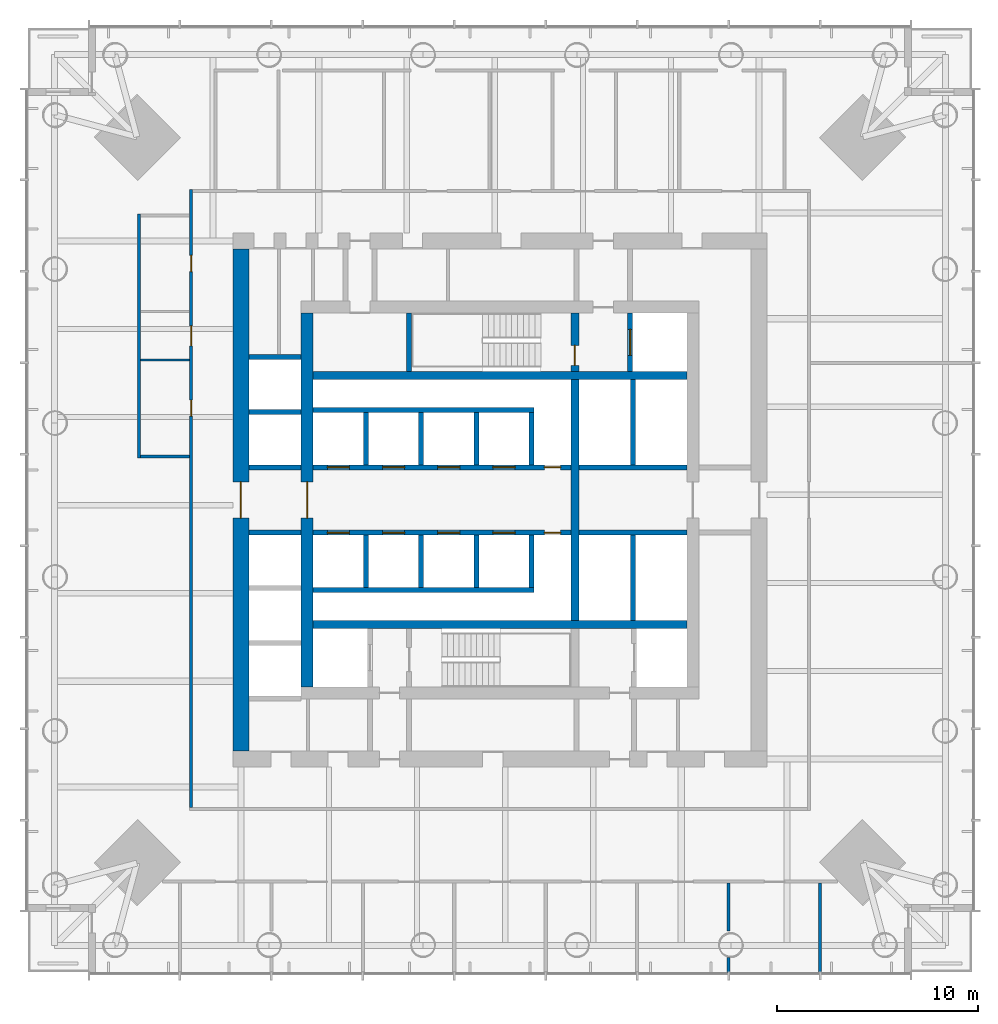
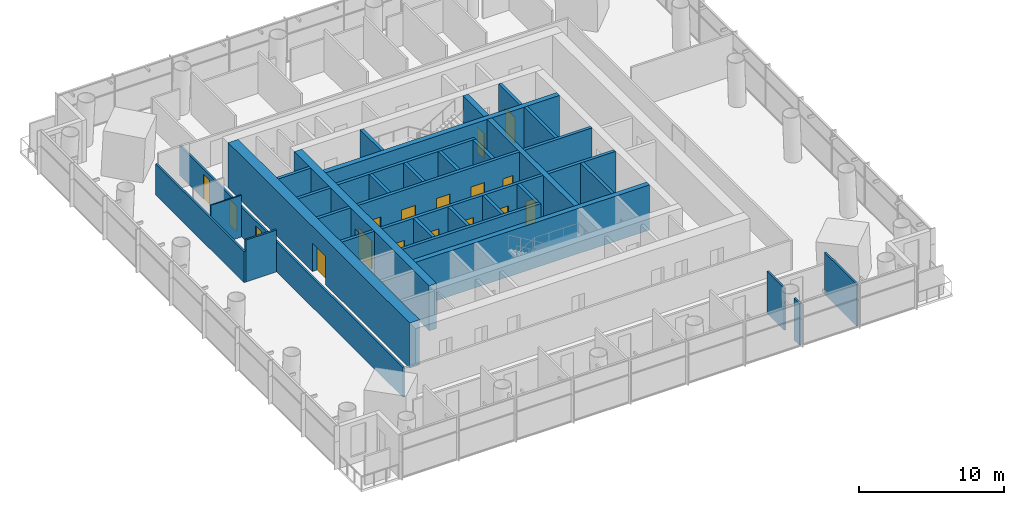
# One storey, part 13 of 24: 35 walls, 17 doors, 17 openings.
"""IFC4 building model written with IfcOpenShell, lengths in metres."""

from ifc_helpers import new_model, si_unit, direction, frame, frame_2d, origin, place, context, subcontext, project, spatial, rectangle, extrude, material, layer, layer_set, type_object, element, fill, save


model = new_model("IFC4")

# Units and contexts
model_context = context("Model", 3, precision=1e-05, world=origin(), true_north=direction((0.0, 1.0)))
body_context = subcontext(model_context, "Body", "Model", "MODEL_VIEW")
ifc_project = project(units=[si_unit("LENGTHUNIT", "METRE"), si_unit("AREAUNIT", "SQUARE_METRE"), si_unit("VOLUMEUNIT", "CUBIC_METRE"), si_unit("PLANEANGLEUNIT", "RADIAN"), si_unit("MASSUNIT", "GRAM", prefix="KILO")], contexts=[model_context])

# Site, building, storey
site_placement = place(None, origin())
site = spatial("IfcSite", under=ifc_project, at=site_placement, CompositionType="ELEMENT")
building_placement = place(site_placement, origin())
building = spatial("IfcBuilding", under=site, at=building_placement, Name="Ostroluk Exchange", CompositionType="ELEMENT")
storey_placement = place(building_placement, frame((0.0, 0.0, 78.0)))
storey = spatial("IfcBuildingStorey", under=building, at=storey_placement, Name="L19", CompositionType="ELEMENT", Elevation=78.0)

# Walls
ifc_material_1 = material(Name="Concrete blockwork", Category="masonry")
ifc_layer_1 = layer(ifc_material_1, 0.10009765625)
ifc_layer_set_1 = layer_set([ifc_layer_1], Name="Blockwork WC wall 100")
wall_type_1 = type_object("IfcWallType", Name="Blockwork WC wall 100", PredefinedType="SOLIDWALL", material=ifc_layer_set_1)
wall_1_placement = place(storey_placement, frame((29.550048828125, 52.97509765625, 0.0), z_axis=(0.0, 0.0, 1.0), x_axis=(-1.0, 0.0, 0.0)))
element("IfcWall", 1, at=wall_1_placement, inside=storey, type_object=wall_type_1, Name="Blockwork WC wall", PredefinedType="SOLIDWALL", context=body_context, shape_type="SweptSolid", body=[
    extrude(rectangle(XDim=2.449951171875, YDim=0.10009765625, at=frame_2d((1.22509765625, 0.0))), origin(), (0.0, 0.0, 1.0), 3.52001953125),
])
ifc_material_2 = material(Name="Concrete C50/60", Category="concrete")
ifc_layer_2 = layer(ifc_material_2, 0.39990234375)
ifc_layer_set_2 = layer_set([ifc_layer_2], Name="Core cross wall 400 C50/60")
wall_type_2 = type_object("IfcWallType", Name="Core cross wall 400 C50/60", PredefinedType="SHEAR", material=ifc_layer_set_2)
for number, where, z_axis, x_axis, name in (
    (2, (35.699951171875, 39.800048828125, 0.0), (0.0, 0.0, 1.0), (1.0, 0.0, 0.0), "T1 core wall XS"),
    (3, (35.699951171875, 52.199951171875, 0.0), (0.0, 0.0, 1.0), (1.0, 0.0, 0.0), "T1 core wall XN"),
):
    element("IfcWall", number, at=place(storey_placement, frame(where, z_axis=z_axis, x_axis=x_axis)), inside=storey, type_object=wall_type_2, Name=name, PredefinedType="SHEAR", context=body_context, shape_type="SweptSolid", body=[
        extrude(rectangle(XDim=18.60009765625, YDim=0.39990234375, at=frame_2d((9.300048828125, 0.0))), origin(), (0.0, 0.0, 1.0), 3.800048828125),
    ])
wall_2_placement = place(storey_placement, frame((48.72998046875, 40.0, 0.0), z_axis=(0.0, 0.0, 1.0), x_axis=(0.0, 1.0, 0.0)))
element("IfcWall", 4, at=wall_2_placement, inside=storey, type_object=wall_type_2, Name="T1 core wall YE2", PredefinedType="SHEAR", context=body_context, shape_type="SweptSolid", body=[
    extrude(rectangle(XDim=12.0, YDim=0.39990234375, at=frame_2d((6.0, 0.0))), origin(), (0.0, 0.0, 1.0), 3.800048828125),
])

# Wall, opening, door
wall_3_placement = place(storey_placement, frame((48.72998046875, 52.39990234375, 0.0), z_axis=(0.0, 0.0, 1.0), x_axis=(0.0, 1.0, 0.0)))
wall_3 = element("IfcWall", 5, at=wall_3_placement, inside=storey, type_object=wall_type_2, Name="T1 core wall YE3", PredefinedType="SHEAR", context=body_context, shape_type="SweptSolid", body=[
    extrude(rectangle(XDim=2.900146484375, YDim=0.39990234375, at=frame_2d((1.4501953125, 0.0))), origin(), (0.0, 0.0, 1.0), 3.800048828125),
])
opening_1_placement = place(wall_3_placement, frame((0.300048828125, 0.0, 0.0)))
opening_1 = element("IfcOpeningElement", 6, at=opening_1_placement, cuts=wall_3, Name="Opening FD60", PredefinedType="OPENING", context=body_context, shape_type="SweptSolid", body=[
    extrude(rectangle(XDim=1.0, YDim=2.10009765625, at=frame_2d((0.5, 1.050048828125))), frame((0.0, 0.2099609375, 0.0), z_axis=(0.0, -1.0, 0.0), x_axis=(1.0, 0.0, 0.0)), (0.0, 0.0, 1.0), 0.419921875),
])
ifc_material_3 = material(Name="Steel", Category="steel")
door_type_1 = type_object("IfcDoorType", Name="Fire door EI 60 1000 x 2100", OperationType="SINGLE_SWING_LEFT", PredefinedType="DOOR", material=ifc_material_3)
door_1_placement = place(opening_1_placement, origin())
door_1 = element("IfcDoor", 7, at=door_1_placement, inside=storey, type_object=door_type_1, Name="Stair T1-S2 door", OperationType="SINGLE_SWING_LEFT", OverallHeight=2.10009765625, OverallWidth=1.0, PredefinedType="DOOR", context=body_context, shape_type="SweptSolid", body=[
    extrude(rectangle(XDim=1.0, YDim=2.10009765625, at=frame_2d((0.5, 1.050048828125))), frame((0.0, 0.02490234375, 0.0), z_axis=(0.0, -1.0, 0.0), x_axis=(1.0, 0.0, 0.0)), (0.0, 0.0, 1.0), 0.050048828125),
])
fill(opening_1, door_1)

# Wall
ifc_material_4 = material(Name="Concrete C40/50", Category="concrete")
ifc_layer_3 = layer(ifc_material_4, 0.25)
ifc_layer_set_3 = layer_set([ifc_layer_3], Name="Core shaft wall 250")
wall_type_3 = type_object("IfcWallType", Name="Core shaft wall 250", PredefinedType="SHEAR", material=ifc_layer_set_3)
wall_4_placement = place(storey_placement, frame((40.47509765625, 52.39990234375, 0.0), z_axis=(0.0, 0.0, 1.0), x_axis=(0.0, 1.0, 0.0)))
element("IfcWall", 8, at=wall_4_placement, inside=storey, type_object=wall_type_3, Name="Stair shaft wall", PredefinedType="SHEAR", context=body_context, shape_type="SweptSolid", body=[
    extrude(rectangle(XDim=2.900146484375, YDim=0.25, at=frame_2d((1.4501953125, 0.0))), origin(), (0.0, 0.0, 1.0), 3.800048828125),
])

# Wall, opening, door
wall_5_placement = place(storey_placement, frame((51.47509765625, 52.39990234375, 0.0), z_axis=(0.0, 0.0, 1.0), x_axis=(0.0, 1.0, 0.0)))
wall_5 = element("IfcWall", 9, at=wall_5_placement, inside=storey, type_object=wall_type_3, Name="Firefighting lift shaft wall", PredefinedType="SHEAR", context=body_context, shape_type="SweptSolid", body=[
    extrude(rectangle(XDim=2.900146484375, YDim=0.25, at=frame_2d((1.4501953125, 0.0))), origin(), (0.0, 0.0, 1.0), 3.800048828125),
])
opening_2_placement = place(wall_5_placement, frame((0.800048828125, 0.0, 0.0)))
opening_2 = element("IfcOpeningElement", 10, at=opening_2_placement, cuts=wall_5, Name="Opening LD2", PredefinedType="OPENING", context=body_context, shape_type="SweptSolid", body=[
    extrude(rectangle(XDim=1.300048828125, YDim=2.199951171875, at=frame_2d((0.64990234375, 1.10009765625))), frame((0.0, 0.135009765625, 0.0), z_axis=(0.0, -1.0, 0.0), x_axis=(1.0, 0.0, 0.0)), (0.0, 0.0, 1.0), 0.27001953125),
])
ifc_material_5 = material(Name="Stainless steel", Category="steel")
door_type_2 = type_object("IfcDoorType", Name="Lift landing door E 60 1300 x 2200", OperationType="DOUBLE_DOOR_SLIDING", PredefinedType="DOOR", material=ifc_material_5)
door_2_placement = place(opening_2_placement, origin())
door_2 = element("IfcDoor", 11, at=door_2_placement, inside=storey, type_object=door_type_2, Name="Lift FL2 landing door", OperationType="DOUBLE_DOOR_SLIDING", OverallHeight=2.199951171875, OverallWidth=1.300048828125, PredefinedType="DOOR", context=body_context, shape_type="SweptSolid", body=[
    extrude(rectangle(XDim=1.300048828125, YDim=2.199951171875, at=frame_2d((0.64990234375, 1.10009765625))), frame((0.0, 0.02490234375, 0.0), z_axis=(0.0, -1.0, 0.0), x_axis=(1.0, 0.0, 0.0)), (0.0, 0.0, 1.0), 0.050048828125),
])
fill(opening_2, door_2)

# Walls
for number, where, z_axis, x_axis, name in (
    (12, (38.324951171875, 47.75, 0.0), (0.0, 0.0, 1.0), (0.0, 1.0, 0.0), "Lift shaft wall"),
    (13, (41.074951171875, 47.75, 0.0), (0.0, 0.0, 1.0), (0.0, 1.0, 0.0), "Lift shaft wall"),
    (14, (43.824951171875, 47.75, 0.0), (0.0, 0.0, 1.0), (0.0, 1.0, 0.0), "Lift shaft wall"),
    (15, (46.574951171875, 47.75, 0.0), (0.0, 0.0, 1.0), (0.0, 1.0, 0.0), "Lift shaft wall"),
):
    element("IfcWall", number, at=place(storey_placement, frame(where, z_axis=z_axis, x_axis=x_axis)), inside=storey, type_object=wall_type_3, Name=name, PredefinedType="SHEAR", context=body_context, shape_type="SweptSolid", body=[
        extrude(rectangle(XDim=2.60009765625, YDim=0.25, at=frame_2d((1.300048828125, 0.0))), origin(), (0.0, 0.0, 1.0), 3.800048828125),
    ])
wall_6_placement = place(storey_placement, frame((35.699951171875, 50.47509765625, 0.0), z_axis=(0.0, 0.0, 1.0), x_axis=(1.0, 0.0, 0.0)))
element("IfcWall", 16, at=wall_6_placement, inside=storey, type_object=wall_type_3, Name="Lift shaft wall", PredefinedType="SHEAR", context=body_context, shape_type="SweptSolid", body=[
    extrude(rectangle(XDim=11.0, YDim=0.25, at=frame_2d((5.5, 0.0))), origin(), (0.0, 0.0, 1.0), 3.800048828125),
])

# Wall, openings, doors
wall_7_placement = place(storey_placement, frame((35.699951171875, 47.625, 0.0), z_axis=(0.0, 0.0, 1.0), x_axis=(1.0, 0.0, 0.0)))
wall_7 = element("IfcWall", 17, at=wall_7_placement, inside=storey, type_object=wall_type_3, Name="Lift shaft front wall", PredefinedType="SHEAR", context=body_context, shape_type="SweptSolid", body=[
    extrude(rectangle(XDim=12.830078125, YDim=0.25, at=frame_2d((6.4150390625, 0.0))), origin(), (0.0, 0.0, 1.0), 3.800048828125),
])
opening_3_placement = place(wall_7_placement, frame((0.699951171875, 0.0, 0.0)))
opening_3 = element("IfcOpeningElement", 18, at=opening_3_placement, cuts=wall_7, Name="Opening LD", PredefinedType="OPENING", context=body_context, shape_type="SweptSolid", body=[
    extrude(rectangle(XDim=1.10009765625, YDim=2.199951171875, at=frame_2d((0.550048828125, 1.10009765625))), frame((0.0, 0.135009765625, 0.0), z_axis=(0.0, -1.0, 0.0), x_axis=(1.0, 0.0, 0.0)), (0.0, 0.0, 1.0), 0.27001953125),
])
opening_4_placement = place(wall_7_placement, frame((3.449951171875, 0.0, 0.0)))
opening_4 = element("IfcOpeningElement", 19, at=opening_4_placement, cuts=wall_7, Name="Opening LD", PredefinedType="OPENING", context=body_context, shape_type="SweptSolid", body=[
    extrude(rectangle(XDim=1.10009765625, YDim=2.199951171875, at=frame_2d((0.550048828125, 1.10009765625))), frame((0.0, 0.135009765625, 0.0), z_axis=(0.0, -1.0, 0.0), x_axis=(1.0, 0.0, 0.0)), (0.0, 0.0, 1.0), 0.27001953125),
])
opening_5_placement = place(wall_7_placement, frame((6.199951171875, 0.0, 0.0)))
opening_5 = element("IfcOpeningElement", 20, at=opening_5_placement, cuts=wall_7, Name="Opening LD", PredefinedType="OPENING", context=body_context, shape_type="SweptSolid", body=[
    extrude(rectangle(XDim=1.10009765625, YDim=2.199951171875, at=frame_2d((0.550048828125, 1.10009765625))), frame((0.0, 0.135009765625, 0.0), z_axis=(0.0, -1.0, 0.0), x_axis=(1.0, 0.0, 0.0)), (0.0, 0.0, 1.0), 0.27001953125),
])
opening_6_placement = place(wall_7_placement, frame((8.949951171875, 0.0, 0.0)))
opening_6 = element("IfcOpeningElement", 21, at=opening_6_placement, cuts=wall_7, Name="Opening LD", PredefinedType="OPENING", context=body_context, shape_type="SweptSolid", body=[
    extrude(rectangle(XDim=1.10009765625, YDim=2.199951171875, at=frame_2d((0.550048828125, 1.10009765625))), frame((0.0, 0.135009765625, 0.0), z_axis=(0.0, -1.0, 0.0), x_axis=(1.0, 0.0, 0.0)), (0.0, 0.0, 1.0), 0.27001953125),
])
opening_7_placement = place(wall_7_placement, frame((11.514892578125, 0.0, 0.0)))
opening_7 = element("IfcOpeningElement", 22, at=opening_7_placement, cuts=wall_7, Name="Opening RD60", PredefinedType="OPENING", context=body_context, shape_type="SweptSolid", body=[
    extrude(rectangle(XDim=0.800048828125, YDim=2.0, at=frame_2d((0.39990234375, 1.0))), frame((0.0, 0.135009765625, 0.0), z_axis=(0.0, -1.0, 0.0), x_axis=(1.0, 0.0, 0.0)), (0.0, 0.0, 1.0), 0.27001953125),
])
ifc_material_6 = material(Name="Stainless steel", Category="steel")
door_type_3 = type_object("IfcDoorType", Name="Lift landing door E 60 1100 x 2200", OperationType="DOUBLE_DOOR_SLIDING", PredefinedType="DOOR", material=ifc_material_6)
door_3_placement = place(opening_3_placement, origin())
door_3 = element("IfcDoor", 23, at=door_3_placement, inside=storey, type_object=door_type_3, Name="Lift PL-L1 landing door", OperationType="DOUBLE_DOOR_SLIDING", OverallHeight=2.199951171875, OverallWidth=1.10009765625, PredefinedType="DOOR", context=body_context, shape_type="SweptSolid", body=[
    extrude(rectangle(XDim=1.10009765625, YDim=2.199951171875, at=frame_2d((0.550048828125, 1.10009765625))), frame((0.0, 0.02490234375, 0.0), z_axis=(0.0, -1.0, 0.0), x_axis=(1.0, 0.0, 0.0)), (0.0, 0.0, 1.0), 0.050048828125),
])
fill(opening_3, door_3)
door_4_placement = place(opening_4_placement, origin())
door_4 = element("IfcDoor", 24, at=door_4_placement, inside=storey, type_object=door_type_3, Name="Lift PL-L2 landing door", OperationType="DOUBLE_DOOR_SLIDING", OverallHeight=2.199951171875, OverallWidth=1.10009765625, PredefinedType="DOOR", context=body_context, shape_type="SweptSolid", body=[
    extrude(rectangle(XDim=1.10009765625, YDim=2.199951171875, at=frame_2d((0.550048828125, 1.10009765625))), frame((0.0, 0.02490234375, 0.0), z_axis=(0.0, -1.0, 0.0), x_axis=(1.0, 0.0, 0.0)), (0.0, 0.0, 1.0), 0.050048828125),
])
fill(opening_4, door_4)
door_5_placement = place(opening_5_placement, origin())
door_5 = element("IfcDoor", 25, at=door_5_placement, inside=storey, type_object=door_type_3, Name="Lift PL-L3 landing door", OperationType="DOUBLE_DOOR_SLIDING", OverallHeight=2.199951171875, OverallWidth=1.10009765625, PredefinedType="DOOR", context=body_context, shape_type="SweptSolid", body=[
    extrude(rectangle(XDim=1.10009765625, YDim=2.199951171875, at=frame_2d((0.550048828125, 1.10009765625))), frame((0.0, 0.02490234375, 0.0), z_axis=(0.0, -1.0, 0.0), x_axis=(1.0, 0.0, 0.0)), (0.0, 0.0, 1.0), 0.050048828125),
])
fill(opening_5, door_5)
door_6_placement = place(opening_6_placement, origin())
door_6 = element("IfcDoor", 26, at=door_6_placement, inside=storey, type_object=door_type_3, Name="Lift PL-L4 landing door", OperationType="DOUBLE_DOOR_SLIDING", OverallHeight=2.199951171875, OverallWidth=1.10009765625, PredefinedType="DOOR", context=body_context, shape_type="SweptSolid", body=[
    extrude(rectangle(XDim=1.10009765625, YDim=2.199951171875, at=frame_2d((0.550048828125, 1.10009765625))), frame((0.0, 0.02490234375, 0.0), z_axis=(0.0, -1.0, 0.0), x_axis=(1.0, 0.0, 0.0)), (0.0, 0.0, 1.0), 0.050048828125),
])
fill(opening_6, door_6)
ifc_material_7 = material(Name="Steel", Category="steel")
door_type_4 = type_object("IfcDoorType", Name="Riser access door EI 60 800 x 2000", OperationType="SINGLE_SWING_LEFT", PredefinedType="DOOR", material=ifc_material_7)
door_7_placement = place(opening_7_placement, origin())
door_7 = element("IfcDoor", 27, at=door_7_placement, inside=storey, type_object=door_type_4, Name="Riser access door", OperationType="SINGLE_SWING_RIGHT", OverallHeight=2.0, OverallWidth=0.800048828125, PredefinedType="DOOR", context=body_context, shape_type="SweptSolid", body=[
    extrude(rectangle(XDim=0.800048828125, YDim=2.0, at=frame_2d((0.39990234375, 1.0))), frame((0.0, 0.02490234375, 0.0), z_axis=(0.0, -1.0, 0.0), x_axis=(1.0, 0.0, 0.0)), (0.0, 0.0, 1.0), 0.050048828125),
])
fill(opening_7, door_7)

# Walls
for number, where, z_axis, x_axis, name in (
    (28, (38.324951171875, 44.25, 0.0), (0.0, 0.0, 1.0), (0.0, -1.0, 0.0), "Lift shaft wall"),
    (29, (41.074951171875, 44.25, 0.0), (0.0, 0.0, 1.0), (0.0, -1.0, 0.0), "Lift shaft wall"),
    (30, (43.824951171875, 44.25, 0.0), (0.0, 0.0, 1.0), (0.0, -1.0, 0.0), "Lift shaft wall"),
    (31, (46.574951171875, 44.25, 0.0), (0.0, 0.0, 1.0), (0.0, -1.0, 0.0), "Lift shaft wall"),
):
    element("IfcWall", number, at=place(storey_placement, frame(where, z_axis=z_axis, x_axis=x_axis)), inside=storey, type_object=wall_type_3, Name=name, PredefinedType="SHEAR", context=body_context, shape_type="SweptSolid", body=[
        extrude(rectangle(XDim=2.60009765625, YDim=0.25, at=frame_2d((1.300048828125, 0.0))), origin(), (0.0, 0.0, 1.0), 3.800048828125),
    ])
wall_8_placement = place(storey_placement, frame((35.699951171875, 41.52490234375, 0.0), z_axis=(0.0, 0.0, 1.0), x_axis=(1.0, 0.0, 0.0)))
element("IfcWall", 32, at=wall_8_placement, inside=storey, type_object=wall_type_3, Name="Lift shaft wall", PredefinedType="SHEAR", context=body_context, shape_type="SweptSolid", body=[
    extrude(rectangle(XDim=11.0, YDim=0.25, at=frame_2d((5.5, 0.0))), origin(), (0.0, 0.0, 1.0), 3.800048828125),
])

# Wall, openings, doors
wall_9_placement = place(storey_placement, frame((35.699951171875, 44.375, 0.0), z_axis=(0.0, 0.0, 1.0), x_axis=(1.0, 0.0, 0.0)))
wall_9 = element("IfcWall", 33, at=wall_9_placement, inside=storey, type_object=wall_type_3, Name="Lift shaft front wall", PredefinedType="SHEAR", context=body_context, shape_type="SweptSolid", body=[
    extrude(rectangle(XDim=12.830078125, YDim=0.25, at=frame_2d((6.4150390625, 0.0))), origin(), (0.0, 0.0, 1.0), 3.800048828125),
])
opening_8_placement = place(wall_9_placement, frame((0.699951171875, 0.0, 0.0)))
opening_8 = element("IfcOpeningElement", 34, at=opening_8_placement, cuts=wall_9, Name="Opening LD", PredefinedType="OPENING", context=body_context, shape_type="SweptSolid", body=[
    extrude(rectangle(XDim=1.10009765625, YDim=2.199951171875, at=frame_2d((0.550048828125, 1.10009765625))), frame((0.0, 0.135009765625, 0.0), z_axis=(0.0, -1.0, 0.0), x_axis=(1.0, 0.0, 0.0)), (0.0, 0.0, 1.0), 0.27001953125),
])
opening_9_placement = place(wall_9_placement, frame((3.449951171875, 0.0, 0.0)))
opening_9 = element("IfcOpeningElement", 35, at=opening_9_placement, cuts=wall_9, Name="Opening LD", PredefinedType="OPENING", context=body_context, shape_type="SweptSolid", body=[
    extrude(rectangle(XDim=1.10009765625, YDim=2.199951171875, at=frame_2d((0.550048828125, 1.10009765625))), frame((0.0, 0.135009765625, 0.0), z_axis=(0.0, -1.0, 0.0), x_axis=(1.0, 0.0, 0.0)), (0.0, 0.0, 1.0), 0.27001953125),
])
opening_10_placement = place(wall_9_placement, frame((6.199951171875, 0.0, 0.0)))
opening_10 = element("IfcOpeningElement", 36, at=opening_10_placement, cuts=wall_9, Name="Opening LD", PredefinedType="OPENING", context=body_context, shape_type="SweptSolid", body=[
    extrude(rectangle(XDim=1.10009765625, YDim=2.199951171875, at=frame_2d((0.550048828125, 1.10009765625))), frame((0.0, 0.135009765625, 0.0), z_axis=(0.0, -1.0, 0.0), x_axis=(1.0, 0.0, 0.0)), (0.0, 0.0, 1.0), 0.27001953125),
])
opening_11_placement = place(wall_9_placement, frame((8.949951171875, 0.0, 0.0)))
opening_11 = element("IfcOpeningElement", 37, at=opening_11_placement, cuts=wall_9, Name="Opening LD", PredefinedType="OPENING", context=body_context, shape_type="SweptSolid", body=[
    extrude(rectangle(XDim=1.10009765625, YDim=2.199951171875, at=frame_2d((0.550048828125, 1.10009765625))), frame((0.0, 0.135009765625, 0.0), z_axis=(0.0, -1.0, 0.0), x_axis=(1.0, 0.0, 0.0)), (0.0, 0.0, 1.0), 0.27001953125),
])
opening_12_placement = place(wall_9_placement, frame((11.514892578125, 0.0, 0.0)))
opening_12 = element("IfcOpeningElement", 38, at=opening_12_placement, cuts=wall_9, Name="Opening RD60", PredefinedType="OPENING", context=body_context, shape_type="SweptSolid", body=[
    extrude(rectangle(XDim=0.800048828125, YDim=2.0, at=frame_2d((0.39990234375, 1.0))), frame((0.0, 0.135009765625, 0.0), z_axis=(0.0, -1.0, 0.0), x_axis=(1.0, 0.0, 0.0)), (0.0, 0.0, 1.0), 0.27001953125),
])
door_8_placement = place(opening_8_placement, origin())
door_8 = element("IfcDoor", 39, at=door_8_placement, inside=storey, type_object=door_type_3, Name="Lift PL-L5 landing door", OperationType="DOUBLE_DOOR_SLIDING", OverallHeight=2.199951171875, OverallWidth=1.10009765625, PredefinedType="DOOR", context=body_context, shape_type="SweptSolid", body=[
    extrude(rectangle(XDim=1.10009765625, YDim=2.199951171875, at=frame_2d((0.550048828125, 1.10009765625))), frame((0.0, 0.02490234375, 0.0), z_axis=(0.0, -1.0, 0.0), x_axis=(1.0, 0.0, 0.0)), (0.0, 0.0, 1.0), 0.050048828125),
])
fill(opening_8, door_8)
door_9_placement = place(opening_9_placement, origin())
door_9 = element("IfcDoor", 40, at=door_9_placement, inside=storey, type_object=door_type_3, Name="Lift PL-L6 landing door", OperationType="DOUBLE_DOOR_SLIDING", OverallHeight=2.199951171875, OverallWidth=1.10009765625, PredefinedType="DOOR", context=body_context, shape_type="SweptSolid", body=[
    extrude(rectangle(XDim=1.10009765625, YDim=2.199951171875, at=frame_2d((0.550048828125, 1.10009765625))), frame((0.0, 0.02490234375, 0.0), z_axis=(0.0, -1.0, 0.0), x_axis=(1.0, 0.0, 0.0)), (0.0, 0.0, 1.0), 0.050048828125),
])
fill(opening_9, door_9)
door_10_placement = place(opening_10_placement, origin())
door_10 = element("IfcDoor", 41, at=door_10_placement, inside=storey, type_object=door_type_3, Name="Lift PL-L7 landing door", OperationType="DOUBLE_DOOR_SLIDING", OverallHeight=2.199951171875, OverallWidth=1.10009765625, PredefinedType="DOOR", context=body_context, shape_type="SweptSolid", body=[
    extrude(rectangle(XDim=1.10009765625, YDim=2.199951171875, at=frame_2d((0.550048828125, 1.10009765625))), frame((0.0, 0.02490234375, 0.0), z_axis=(0.0, -1.0, 0.0), x_axis=(1.0, 0.0, 0.0)), (0.0, 0.0, 1.0), 0.050048828125),
])
fill(opening_10, door_10)
door_11_placement = place(opening_11_placement, origin())
door_11 = element("IfcDoor", 42, at=door_11_placement, inside=storey, type_object=door_type_3, Name="Lift PL-L8 landing door", OperationType="DOUBLE_DOOR_SLIDING", OverallHeight=2.199951171875, OverallWidth=1.10009765625, PredefinedType="DOOR", context=body_context, shape_type="SweptSolid", body=[
    extrude(rectangle(XDim=1.10009765625, YDim=2.199951171875, at=frame_2d((0.550048828125, 1.10009765625))), frame((0.0, 0.02490234375, 0.0), z_axis=(0.0, -1.0, 0.0), x_axis=(1.0, 0.0, 0.0)), (0.0, 0.0, 1.0), 0.050048828125),
])
fill(opening_11, door_11)
door_12_placement = place(opening_12_placement, origin())
door_12 = element("IfcDoor", 43, at=door_12_placement, inside=storey, type_object=door_type_4, Name="Riser access door", OperationType="SINGLE_SWING_RIGHT", OverallHeight=2.0, OverallWidth=0.800048828125, PredefinedType="DOOR", context=body_context, shape_type="SweptSolid", body=[
    extrude(rectangle(XDim=0.800048828125, YDim=2.0, at=frame_2d((0.39990234375, 1.0))), frame((0.0, 0.02490234375, 0.0), z_axis=(0.0, -1.0, 0.0), x_axis=(1.0, 0.0, 0.0)), (0.0, 0.0, 1.0), 0.050048828125),
])
fill(opening_12, door_12)

# Walls
wall_10_placement = place(storey_placement, frame((51.614990234375, 47.75, 0.0), z_axis=(0.0, 0.0, 1.0), x_axis=(0.0, 1.0, 0.0)))
element("IfcWall", 44, at=wall_10_placement, inside=storey, type_object=wall_type_3, Name="Lift shaft wall", PredefinedType="SHEAR", context=body_context, shape_type="SweptSolid", body=[
    extrude(rectangle(XDim=4.25, YDim=0.25, at=frame_2d((2.125, 0.0))), origin(), (0.0, 0.0, 1.0), 3.800048828125),
])
wall_11_placement = place(storey_placement, frame((48.929931640625, 47.625, 0.0), z_axis=(0.0, 0.0, 1.0), x_axis=(1.0, 0.0, 0.0)))
element("IfcWall", 45, at=wall_11_placement, inside=storey, type_object=wall_type_3, Name="Lift shaft front wall", PredefinedType="SHEAR", context=body_context, shape_type="SweptSolid", body=[
    extrude(rectangle(XDim=5.3701171875, YDim=0.25, at=frame_2d((2.68505859375, 0.0))), origin(), (0.0, 0.0, 1.0), 3.800048828125),
])
wall_12_placement = place(storey_placement, frame((51.614990234375, 44.25, 0.0), z_axis=(0.0, 0.0, 1.0), x_axis=(0.0, -1.0, 0.0)))
element("IfcWall", 46, at=wall_12_placement, inside=storey, type_object=wall_type_3, Name="Lift shaft wall", PredefinedType="SHEAR", context=body_context, shape_type="SweptSolid", body=[
    extrude(rectangle(XDim=4.25, YDim=0.25, at=frame_2d((2.125, 0.0))), origin(), (0.0, 0.0, 1.0), 3.800048828125),
])
wall_13_placement = place(storey_placement, frame((48.929931640625, 44.375, 0.0), z_axis=(0.0, 0.0, 1.0), x_axis=(1.0, 0.0, 0.0)))
element("IfcWall", 47, at=wall_13_placement, inside=storey, type_object=wall_type_3, Name="Lift shaft front wall", PredefinedType="SHEAR", context=body_context, shape_type="SweptSolid", body=[
    extrude(rectangle(XDim=5.3701171875, YDim=0.25, at=frame_2d((2.68505859375, 0.0))), origin(), (0.0, 0.0, 1.0), 3.800048828125),
])
for number, where, z_axis, x_axis, name in (
    (48, (32.5, 44.375, 0.0), (0.0, 0.0, 1.0), (1.0, 0.0, 0.0), "Lift shaft wall"),
    (49, (32.5, 47.625, 0.0), (0.0, 0.0, 1.0), (1.0, 0.0, 0.0), "Lift shaft wall"),
    (50, (32.5, 50.375, 0.0), (0.0, 0.0, 1.0), (1.0, 0.0, 0.0), "Lift shaft wall"),
    (51, (32.5, 53.125, 0.0), (0.0, 0.0, 1.0), (1.0, 0.0, 0.0), "Lift shaft wall"),
):
    element("IfcWall", number, at=place(storey_placement, frame(where, z_axis=z_axis, x_axis=x_axis)), inside=storey, type_object=wall_type_3, Name=name, PredefinedType="SHEAR", context=body_context, shape_type="SweptSolid", body=[
        extrude(rectangle(XDim=2.60009765625, YDim=0.25, at=frame_2d((1.300048828125, 0.0))), origin(), (0.0, 0.0, 1.0), 3.800048828125),
    ])

# Wall, opening, door
ifc_material_8 = material(Name="Concrete C50/60", Category="concrete")
ifc_layer_4 = layer(ifc_material_8, 0.60009765625)
ifc_layer_set_4 = layer_set([ifc_layer_4], Name="Core wall 600 C50/60")
wall_type_4 = type_object("IfcWallType", Name="Core wall 600 C50/60", PredefinedType="SHEAR", material=ifc_layer_set_4)
wall_14_placement = place(storey_placement, frame((35.39990234375, 36.699951171875, 0.0), z_axis=(0.0, 0.0, 1.0), x_axis=(0.0, 1.0, 0.0)))
wall_14 = element("IfcWall", 52, at=wall_14_placement, inside=storey, type_object=wall_type_4, Name="T1 core wall W", PredefinedType="SHEAR", context=body_context, shape_type="SweptSolid", body=[
    extrude(rectangle(XDim=18.60009765625, YDim=0.60009765625, at=frame_2d((9.300048828125, 0.0))), origin(), (0.0, 0.0, 1.0), 3.800048828125),
])
opening_13_placement = place(wall_14_placement, frame((8.39990234375, 0.0, 0.0)))
opening_13 = element("IfcOpeningElement", 53, at=opening_13_placement, cuts=wall_14, Name="Opening FD30D", PredefinedType="OPENING", context=body_context, shape_type="SweptSolid", body=[
    extrude(rectangle(XDim=1.800048828125, YDim=2.39990234375, at=frame_2d((0.89990234375, 1.199951171875))), frame((0.0, 0.31005859375, 0.0), z_axis=(0.0, -1.0, 0.0), x_axis=(1.0, 0.0, 0.0)), (0.0, 0.0, 1.0), 0.6201171875),
])
ifc_material_9 = material(Name="Timber", Category="wood")
door_type_5 = type_object("IfcDoorType", Name="Lobby double door EI 30 1800 x 2400", OperationType="DOUBLE_DOOR_SINGLE_SWING", PredefinedType="DOOR", material=ifc_material_9)
door_13_placement = place(opening_13_placement, origin())
door_13 = element("IfcDoor", 54, at=door_13_placement, inside=storey, type_object=door_type_5, Name="Lift lobby doors", OperationType="DOUBLE_DOOR_SINGLE_SWING", OverallHeight=2.39990234375, OverallWidth=1.800048828125, PredefinedType="DOOR", context=body_context, shape_type="SweptSolid", body=[
    extrude(rectangle(XDim=1.800048828125, YDim=2.39990234375, at=frame_2d((0.89990234375, 1.199951171875))), frame((0.0, 0.02490234375, 0.0), z_axis=(0.0, -1.0, 0.0), x_axis=(1.0, 0.0, 0.0)), (0.0, 0.0, 1.0), 0.050048828125),
])
fill(opening_13, door_13)

ifc_material_10 = material(Name="Concrete C50/60", Category="concrete")
ifc_layer_5 = layer(ifc_material_10, 0.800048828125)
ifc_layer_set_5 = layer_set([ifc_layer_5], Name="Core wall 800 C50/60")
wall_type_5 = type_object("IfcWallType", Name="Core wall 800 C50/60", PredefinedType="SHEAR", material=ifc_layer_set_5)
wall_15_placement = place(storey_placement, frame((32.10009765625, 33.5, 0.0), z_axis=(0.0, 0.0, 1.0), x_axis=(0.0, 1.0, 0.0)))
wall_15 = element("IfcWall", 55, at=wall_15_placement, inside=storey, type_object=wall_type_5, Name="T1 core wall RW", PredefinedType="SHEAR", context=body_context, shape_type="SweptSolid", body=[
    extrude(rectangle(XDim=25.0, YDim=0.800048828125, at=frame_2d((12.5, 0.0))), origin(), (0.0, 0.0, 1.0), 3.800048828125),
])
opening_14_placement = place(wall_15_placement, frame((11.60009765625, 0.0, 0.0)))
opening_14 = element("IfcOpeningElement", 56, at=opening_14_placement, cuts=wall_15, Name="Opening FD30D", PredefinedType="OPENING", context=body_context, shape_type="SweptSolid", body=[
    extrude(rectangle(XDim=1.800048828125, YDim=2.39990234375, at=frame_2d((0.89990234375, 1.199951171875))), frame((0.0, 0.409912109375, 0.0), z_axis=(0.0, -1.0, 0.0), x_axis=(1.0, 0.0, 0.0)), (0.0, 0.0, 1.0), 0.820068359375),
])
door_14_placement = place(opening_14_placement, origin())
door_14 = element("IfcDoor", 57, at=door_14_placement, inside=storey, type_object=door_type_5, Name="Lift lobby doors", OperationType="DOUBLE_DOOR_SINGLE_SWING", OverallHeight=2.39990234375, OverallWidth=1.800048828125, PredefinedType="DOOR", context=body_context, shape_type="SweptSolid", body=[
    extrude(rectangle(XDim=1.800048828125, YDim=2.39990234375, at=frame_2d((0.89990234375, 1.199951171875))), frame((0.0, 0.02490234375, 0.0), z_axis=(0.0, -1.0, 0.0), x_axis=(1.0, 0.0, 0.0)), (0.0, 0.0, 1.0), 0.050048828125),
])
fill(opening_14, door_14)

# Walls
ifc_material_11 = material(Name="Gypsum plasterboard partition", Category="gypsum")
ifc_layer_6 = layer(ifc_material_11, 0.14990234375)
ifc_layer_set_6 = layer_set([ifc_layer_6], Name="Plasterboard partition 150")
wall_type_6 = type_object("IfcWallType", Name="Plasterboard partition 150", PredefinedType="PARTITIONING", material=ifc_layer_set_6)
wall_16_placement = place(storey_placement, frame((56.388916015625, 26.925048828125, 0.0), z_axis=(0.0, 0.0, 1.0), x_axis=(0.0, -1.0, 0.0)))
element("IfcWall", 58, at=wall_16_placement, inside=storey, type_object=wall_type_6, Name="Partition", PredefinedType="PARTITIONING", context=body_context, shape_type="SweptSolid", body=[
    extrude(rectangle(XDim=2.372802734375, YDim=0.14990234375, at=frame_2d((1.1865234375, 0.0))), origin(), (0.0, 0.0, 1.0), 3.52001953125),
])
wall_17_placement = place(storey_placement, frame((56.388916015625, 23.2119140625, 0.0), z_axis=(0.0, 0.0, 1.0), x_axis=(0.0, -1.0, 0.0)))
element("IfcWall", 59, at=wall_17_placement, inside=storey, type_object=wall_type_6, Name="Partition", PredefinedType="PARTITIONING", context=body_context, shape_type="SweptSolid", body=[
    extrude(rectangle(XDim=0.751953125, YDim=0.14990234375, at=frame_2d((0.3759765625, 0.0))), origin(), (0.0, 0.0, 1.0), 3.52001953125),
])
wall_18_placement = place(storey_placement, frame((60.9443359375, 26.925048828125, 0.0), z_axis=(0.0, 0.0, 1.0), x_axis=(0.0, -1.0, 0.0)))
element("IfcWall", 60, at=wall_18_placement, inside=storey, type_object=wall_type_6, Name="Partition", PredefinedType="PARTITIONING", context=body_context, shape_type="SweptSolid", body=[
    extrude(rectangle(XDim=4.465087890625, YDim=0.14990234375, at=frame_2d((2.232421875, 0.0))), origin(), (0.0, 0.0, 1.0), 3.52001953125),
])

# Wall, openings, doors
wall_19_placement = place(storey_placement, frame((29.625, 61.449951171875, 0.0), z_axis=(0.0, 0.0, 1.0), x_axis=(0.0, -1.0, 0.0)))
wall_19 = element("IfcWall", 61, at=wall_19_placement, inside=storey, type_object=wall_type_6, Name="Corridor wall", PredefinedType="PARTITIONING", context=body_context, shape_type="SweptSolid", body=[
    extrude(rectangle(XDim=30.75, YDim=0.14990234375, at=frame_2d((15.375, 0.0))), origin(), (0.0, 0.0, 1.0), 2.511962890625),
])
opening_15_placement = place(wall_19_placement, frame((3.27490234375, 0.0, 0.0)))
opening_15 = element("IfcOpeningElement", 62, at=opening_15_placement, cuts=wall_19, Name="Opening D-06", PredefinedType="OPENING", context=body_context, shape_type="SweptSolid", body=[
    extrude(rectangle(XDim=0.800048828125, YDim=2.10009765625, at=frame_2d((0.39990234375, 1.050048828125))), frame((0.0, 0.0849609375, 0.0), z_axis=(0.0, -1.0, 0.0), x_axis=(1.0, 0.0, 0.0)), (0.0, 0.0, 1.0), 0.169921875),
])
opening_16_placement = place(wall_19_placement, frame((6.77490234375, 0.0, 0.0)))
opening_16 = element("IfcOpeningElement", 63, at=opening_16_placement, cuts=wall_19, Name="Opening D-03", PredefinedType="OPENING", context=body_context, shape_type="SweptSolid", body=[
    extrude(rectangle(XDim=1.0, YDim=2.10009765625, at=frame_2d((0.5, 1.050048828125))), frame((0.0, 0.0849609375, 0.0), z_axis=(0.0, -1.0, 0.0), x_axis=(1.0, 0.0, 0.0)), (0.0, 0.0, 1.0), 0.169921875),
])
opening_17_placement = place(wall_19_placement, frame((10.47509765625, 0.0, 0.0)))
opening_17 = element("IfcOpeningElement", 64, at=opening_17_placement, cuts=wall_19, Name="Opening D-06", PredefinedType="OPENING", context=body_context, shape_type="SweptSolid", body=[
    extrude(rectangle(XDim=0.800048828125, YDim=2.10009765625, at=frame_2d((0.39990234375, 1.050048828125))), frame((0.0, 0.0849609375, 0.0), z_axis=(0.0, -1.0, 0.0), x_axis=(1.0, 0.0, 0.0)), (0.0, 0.0, 1.0), 0.169921875),
])
ifc_material_12 = material(Name="Timber", Category="wood")
door_type_6 = type_object("IfcDoorType", Name="Internal door 1000 x 2100", OperationType="SINGLE_SWING_LEFT", PredefinedType="DOOR", material=ifc_material_12)
door_15_placement = place(opening_16_placement, origin())
door_15 = element("IfcDoor", 65, at=door_15_placement, inside=storey, type_object=door_type_6, Name="Accessible WC door", OperationType="SINGLE_SWING_LEFT", OverallHeight=2.10009765625, OverallWidth=1.0, PredefinedType="DOOR", context=body_context, shape_type="SweptSolid", body=[
    extrude(rectangle(XDim=1.0, YDim=2.10009765625, at=frame_2d((0.5, 1.050048828125))), frame((0.0, 0.02490234375, 0.0), z_axis=(0.0, -1.0, 0.0), x_axis=(1.0, 0.0, 0.0)), (0.0, 0.0, 1.0), 0.050048828125),
])
fill(opening_16, door_15)
ifc_material_13 = material(Name="Timber", Category="wood")
door_type_7 = type_object("IfcDoorType", Name="Toilet door 800 x 2100", OperationType="SINGLE_SWING_LEFT", PredefinedType="DOOR", material=ifc_material_13)
door_16_placement = place(opening_15_placement, origin())
door_16 = element("IfcDoor", 66, at=door_16_placement, inside=storey, type_object=door_type_7, Name="WC female door", OperationType="SINGLE_SWING_LEFT", OverallHeight=2.10009765625, OverallWidth=0.800048828125, PredefinedType="DOOR", context=body_context, shape_type="SweptSolid", body=[
    extrude(rectangle(XDim=0.800048828125, YDim=2.10009765625, at=frame_2d((0.39990234375, 1.050048828125))), frame((0.0, 0.02490234375, 0.0), z_axis=(0.0, -1.0, 0.0), x_axis=(1.0, 0.0, 0.0)), (0.0, 0.0, 1.0), 0.050048828125),
])
fill(opening_15, door_16)
door_17_placement = place(opening_17_placement, origin())
door_17 = element("IfcDoor", 67, at=door_17_placement, inside=storey, type_object=door_type_7, Name="WC male door", OperationType="SINGLE_SWING_LEFT", OverallHeight=2.10009765625, OverallWidth=0.800048828125, PredefinedType="DOOR", context=body_context, shape_type="SweptSolid", body=[
    extrude(rectangle(XDim=0.800048828125, YDim=2.10009765625, at=frame_2d((0.39990234375, 1.050048828125))), frame((0.0, 0.02490234375, 0.0), z_axis=(0.0, -1.0, 0.0), x_axis=(1.0, 0.0, 0.0)), (0.0, 0.0, 1.0), 0.050048828125),
])
fill(opening_17, door_17)

# Walls
ifc_material_14 = material(Name="Gypsum plasterboard partition, moisture resistant", Category="gypsum")
ifc_layer_7 = layer(ifc_material_14, 0.14990234375)
ifc_layer_set_7 = layer_set([ifc_layer_7], Name="Plasterboard toilet partition 150")
wall_type_7 = type_object("IfcWallType", Name="Plasterboard toilet partition 150", PredefinedType="PARTITIONING", material=ifc_layer_set_7)
wall_20_placement = place(storey_placement, frame((27.02490234375, 60.25, 0.0), z_axis=(0.0, 0.0, 1.0), x_axis=(0.0, -1.0, 0.0)))
element("IfcWall", 68, at=wall_20_placement, inside=storey, type_object=wall_type_7, Name="Toilet partition", PredefinedType="PARTITIONING", context=body_context, shape_type="SweptSolid", body=[
    extrude(rectangle(XDim=12.14990234375, YDim=0.14990234375, at=frame_2d((6.074951171875, 0.0))), origin(), (0.0, 0.0, 1.0), 2.6201171875),
])
wall_21_placement = place(storey_placement, frame((29.550048828125, 48.175048828125, 0.0), z_axis=(0.0, 0.0, 1.0), x_axis=(-1.0, 0.0, 0.0)))
element("IfcWall", 69, at=wall_21_placement, inside=storey, type_object=wall_type_7, Name="Toilet partition", PredefinedType="PARTITIONING", context=body_context, shape_type="SweptSolid", body=[
    extrude(rectangle(XDim=2.449951171875, YDim=0.14990234375, at=frame_2d((1.22509765625, 0.0))), origin(), (0.0, 0.0, 1.0), 3.52001953125),
])

save(model, "model.ifc")
